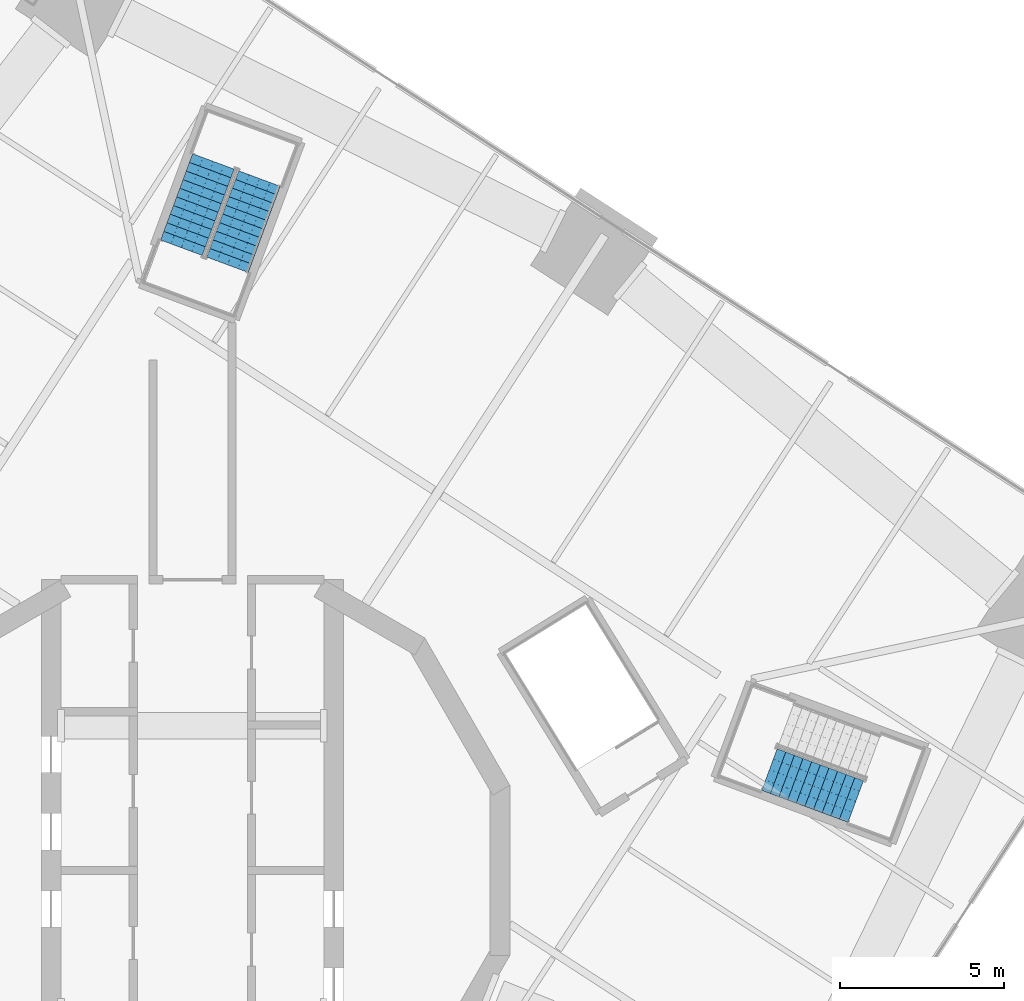
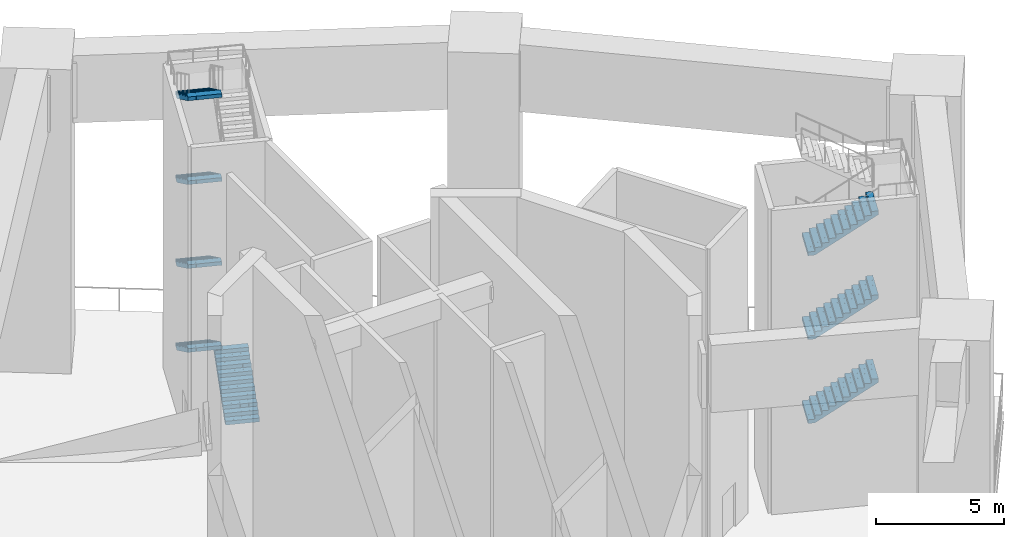
# One storey, part 7 of 16: 8 stair flights, 2 elements without a shape of their own.
"""IFC4 building model written with IfcOpenShell, lengths in metres."""

from ifc_helpers import new_model, si_unit, direction, frame, origin, place, context, subcontext, project, spatial, polyline, outline, extrude, material, type_object, element, aggregate, save


model = new_model("IFC4")

# Units and contexts
model_context = context("Model", 3, precision=1e-05, world=origin(), true_north=direction((0.0, 1.0)))
body_context = subcontext(model_context, "Body", "Model", "MODEL_VIEW")
ifc_project = project(units=[si_unit("LENGTHUNIT", "METRE"), si_unit("AREAUNIT", "SQUARE_METRE"), si_unit("VOLUMEUNIT", "CUBIC_METRE"), si_unit("PLANEANGLEUNIT", "RADIAN"), si_unit("MASSUNIT", "GRAM", prefix="KILO")], contexts=[model_context])

# Site, building, storey
site_placement = place(None, origin())
site = spatial("IfcSite", under=ifc_project, at=site_placement, CompositionType="ELEMENT")
building_placement = place(site_placement, origin())
building = spatial("IfcBuilding", under=site, at=building_placement, Name="Cantera Rosa Tower", CompositionType="ELEMENT")
storey_placement = place(building_placement, frame((0.0, 0.0, 290.10009765625)))
storey = spatial("IfcBuildingStorey", under=building, at=storey_placement, Name="L66", CompositionType="ELEMENT", Elevation=290.10009765625)

# Stair, stair flights
ifc_material_1 = material(Name="Concrete C35/45", Category="concrete")
stair_type = type_object("IfcStairType", Name="EXIT STAIR 1350 DOGLEG", PredefinedType="HALF_TURN_STAIR", material=ifc_material_1)
stair_1_placement = place(storey_placement, origin())
stair_1 = element("IfcStair", 1, at=stair_1_placement, inside=storey, type_object=stair_type, Name="L66 ST-61", PredefinedType="HALF_TURN_STAIR")
ifc_material_2 = material(Name="Concrete C35/45", Category="concrete")
stair_flight_type = type_object("IfcStairFlightType", Name="STAIR FLIGHT 1350 R88x182", PredefinedType="STRAIGHT", material=ifc_material_2)
stair_flight_1_placement = place(storey_placement, frame((17.55908203125, 3.064453125, 4.0), z_axis=(0.0, 0.0, 1.0), x_axis=(0.937686938944, -0.347481229039, 0.0)))
stair_flight_1 = element("IfcStairFlight", 2, at=stair_flight_1_placement, type_object=stair_flight_type, Name="ST-61 flight 3", NumberOfRisers=11, NumberOfTreads=10, PredefinedType="STRAIGHT", RiserHeight=0.181818182, TreadLength=0.28, context=body_context, shape_type="SweptSolid", body=[
    extrude(outline(polyline([(0.0, 0.0), (0.0, 0.181884765625), (0.280029296875, 0.181884765625), (0.280029296875, 0.363525390625), (0.56005859375, 0.363525390625), (0.56005859375, 0.54541015625), (0.840087890625, 0.54541015625), (0.840087890625, 0.727294921875), (1.1201171875, 0.727294921875), (1.1201171875, 0.9091796875), (1.39990234375, 0.9091796875), (1.39990234375, 1.0908203125), (1.679931640625, 1.0908203125), (1.679931640625, 1.272705078125), (1.9599609375, 1.272705078125), (1.9599609375, 1.45458984375), (2.239990234375, 1.45458984375), (2.239990234375, 1.636474609375), (2.52001953125, 1.636474609375), (2.52001953125, 1.818115234375), (2.800048828125, 1.818115234375), (2.800048828125, 2.0), (2.800048828125, 1.639404296875), (0.275146484375, 0.0), (0.0, 0.0)])), frame((0.0, 0.675048828125, 0.0), z_axis=(0.0, -1.0, 0.0), x_axis=(1.0, 0.0, 0.0)), (0.0, 0.0, 1.0), 0.3359375),
    extrude(outline(polyline([(0.0, 0.0), (0.0, 0.181884765625), (0.280029296875, 0.181884765625), (0.280029296875, 0.363525390625), (0.56005859375, 0.363525390625), (0.56005859375, 0.54541015625), (0.840087890625, 0.54541015625), (0.840087890625, 0.727294921875), (1.1201171875, 0.727294921875), (1.1201171875, 0.9091796875), (1.39990234375, 0.9091796875), (1.39990234375, 1.0908203125), (1.679931640625, 1.0908203125), (1.679931640625, 1.272705078125), (1.9599609375, 1.272705078125), (1.9599609375, 1.45458984375), (2.239990234375, 1.45458984375), (2.239990234375, 1.636474609375), (2.52001953125, 1.636474609375), (2.52001953125, 1.818115234375), (2.800048828125, 1.818115234375), (2.800048828125, 2.0), (2.800048828125, 1.639404296875), (0.275146484375, 0.0), (0.0, 0.0)])), frame((0.0, 0.337158203125, 0.0), z_axis=(0.0, -1.0, 0.0), x_axis=(1.0, 0.0, 0.0)), (0.0, 0.0, 1.0), 0.3359375),
    extrude(outline(polyline([(0.0, 0.0), (0.0, 0.181884765625), (0.280029296875, 0.181884765625), (0.280029296875, 0.363525390625), (0.56005859375, 0.363525390625), (0.56005859375, 0.54541015625), (0.840087890625, 0.54541015625), (0.840087890625, 0.727294921875), (1.1201171875, 0.727294921875), (1.1201171875, 0.9091796875), (1.39990234375, 0.9091796875), (1.39990234375, 1.0908203125), (1.679931640625, 1.0908203125), (1.679931640625, 1.272705078125), (1.9599609375, 1.272705078125), (1.9599609375, 1.45458984375), (2.239990234375, 1.45458984375), (2.239990234375, 1.636474609375), (2.52001953125, 1.636474609375), (2.52001953125, 1.818115234375), (2.800048828125, 1.818115234375), (2.800048828125, 2.0), (2.800048828125, 1.639404296875), (0.275146484375, 0.0), (0.0, 0.0)])), frame((0.0, -0.000732421875, 0.0), z_axis=(0.0, -1.0, 0.0), x_axis=(1.0, 0.0, 0.0)), (0.0, 0.0, 1.0), 0.3359375),
    extrude(outline(polyline([(0.0, 0.0), (0.0, 0.181884765625), (0.280029296875, 0.181884765625), (0.280029296875, 0.363525390625), (0.56005859375, 0.363525390625), (0.56005859375, 0.54541015625), (0.840087890625, 0.54541015625), (0.840087890625, 0.727294921875), (1.1201171875, 0.727294921875), (1.1201171875, 0.9091796875), (1.39990234375, 0.9091796875), (1.39990234375, 1.0908203125), (1.679931640625, 1.0908203125), (1.679931640625, 1.272705078125), (1.9599609375, 1.272705078125), (1.9599609375, 1.45458984375), (2.239990234375, 1.45458984375), (2.239990234375, 1.636474609375), (2.52001953125, 1.636474609375), (2.52001953125, 1.818115234375), (2.800048828125, 1.818115234375), (2.800048828125, 2.0), (2.800048828125, 1.639404296875), (0.275146484375, 0.0), (0.0, 0.0)])), frame((0.0, -0.338623046875, 0.0), z_axis=(0.0, -1.0, 0.0), x_axis=(1.0, 0.0, 0.0)), (0.0, 0.0, 1.0), 0.3359375),
])
stair_flight_2_placement = place(storey_placement, frame((17.55908203125, 3.064453125, 8.0), z_axis=(0.0, 0.0, 1.0), x_axis=(0.937686938944, -0.347481229039, 0.0)))
stair_flight_2 = element("IfcStairFlight", 3, at=stair_flight_2_placement, type_object=stair_flight_type, Name="ST-61 flight 5", NumberOfRisers=11, NumberOfTreads=10, PredefinedType="STRAIGHT", RiserHeight=0.181818182, TreadLength=0.28, context=body_context, shape_type="SweptSolid", body=[
    extrude(outline(polyline([(0.0, 0.0), (0.0, 0.181884765625), (0.280029296875, 0.181884765625), (0.280029296875, 0.363525390625), (0.56005859375, 0.363525390625), (0.56005859375, 0.54541015625), (0.840087890625, 0.54541015625), (0.840087890625, 0.727294921875), (1.1201171875, 0.727294921875), (1.1201171875, 0.9091796875), (1.39990234375, 0.9091796875), (1.39990234375, 1.0908203125), (1.679931640625, 1.0908203125), (1.679931640625, 1.272705078125), (1.9599609375, 1.272705078125), (1.9599609375, 1.45458984375), (2.239990234375, 1.45458984375), (2.239990234375, 1.636474609375), (2.52001953125, 1.636474609375), (2.52001953125, 1.818115234375), (2.800048828125, 1.818115234375), (2.800048828125, 2.0), (2.800048828125, 1.639404296875), (0.275146484375, 0.0), (0.0, 0.0)])), frame((0.0, 0.675048828125, 0.0), z_axis=(0.0, -1.0, 0.0), x_axis=(1.0, 0.0, 0.0)), (0.0, 0.0, 1.0), 0.3359375),
    extrude(outline(polyline([(0.0, 0.0), (0.0, 0.181884765625), (0.280029296875, 0.181884765625), (0.280029296875, 0.363525390625), (0.56005859375, 0.363525390625), (0.56005859375, 0.54541015625), (0.840087890625, 0.54541015625), (0.840087890625, 0.727294921875), (1.1201171875, 0.727294921875), (1.1201171875, 0.9091796875), (1.39990234375, 0.9091796875), (1.39990234375, 1.0908203125), (1.679931640625, 1.0908203125), (1.679931640625, 1.272705078125), (1.9599609375, 1.272705078125), (1.9599609375, 1.45458984375), (2.239990234375, 1.45458984375), (2.239990234375, 1.636474609375), (2.52001953125, 1.636474609375), (2.52001953125, 1.818115234375), (2.800048828125, 1.818115234375), (2.800048828125, 2.0), (2.800048828125, 1.639404296875), (0.275146484375, 0.0), (0.0, 0.0)])), frame((0.0, 0.337158203125, 0.0), z_axis=(0.0, -1.0, 0.0), x_axis=(1.0, 0.0, 0.0)), (0.0, 0.0, 1.0), 0.3359375),
    extrude(outline(polyline([(0.0, 0.0), (0.0, 0.181884765625), (0.280029296875, 0.181884765625), (0.280029296875, 0.363525390625), (0.56005859375, 0.363525390625), (0.56005859375, 0.54541015625), (0.840087890625, 0.54541015625), (0.840087890625, 0.727294921875), (1.1201171875, 0.727294921875), (1.1201171875, 0.9091796875), (1.39990234375, 0.9091796875), (1.39990234375, 1.0908203125), (1.679931640625, 1.0908203125), (1.679931640625, 1.272705078125), (1.9599609375, 1.272705078125), (1.9599609375, 1.45458984375), (2.239990234375, 1.45458984375), (2.239990234375, 1.636474609375), (2.52001953125, 1.636474609375), (2.52001953125, 1.818115234375), (2.800048828125, 1.818115234375), (2.800048828125, 2.0), (2.800048828125, 1.639404296875), (0.275146484375, 0.0), (0.0, 0.0)])), frame((0.0, -0.000732421875, 0.0), z_axis=(0.0, -1.0, 0.0), x_axis=(1.0, 0.0, 0.0)), (0.0, 0.0, 1.0), 0.3359375),
    extrude(outline(polyline([(0.0, 0.0), (0.0, 0.181884765625), (0.280029296875, 0.181884765625), (0.280029296875, 0.363525390625), (0.56005859375, 0.363525390625), (0.56005859375, 0.54541015625), (0.840087890625, 0.54541015625), (0.840087890625, 0.727294921875), (1.1201171875, 0.727294921875), (1.1201171875, 0.9091796875), (1.39990234375, 0.9091796875), (1.39990234375, 1.0908203125), (1.679931640625, 1.0908203125), (1.679931640625, 1.272705078125), (1.9599609375, 1.272705078125), (1.9599609375, 1.45458984375), (2.239990234375, 1.45458984375), (2.239990234375, 1.636474609375), (2.52001953125, 1.636474609375), (2.52001953125, 1.818115234375), (2.800048828125, 1.818115234375), (2.800048828125, 2.0), (2.800048828125, 1.639404296875), (0.275146484375, 0.0), (0.0, 0.0)])), frame((0.0, -0.338623046875, 0.0), z_axis=(0.0, -1.0, 0.0), x_axis=(1.0, 0.0, 0.0)), (0.0, 0.0, 1.0), 0.3359375),
])
stair_flight_3_placement = place(storey_placement, frame((17.55908203125, 3.064453125, 12.0), z_axis=(0.0, 0.0, 1.0), x_axis=(0.937686938944, -0.347481229039, 0.0)))
stair_flight_3 = element("IfcStairFlight", 4, at=stair_flight_3_placement, type_object=stair_flight_type, Name="ST-61 flight 7", NumberOfRisers=11, NumberOfTreads=10, PredefinedType="STRAIGHT", RiserHeight=0.181818182, TreadLength=0.28, context=body_context, shape_type="SweptSolid", body=[
    extrude(outline(polyline([(0.0, 0.0), (0.0, 0.181884765625), (0.280029296875, 0.181884765625), (0.280029296875, 0.363525390625), (0.56005859375, 0.363525390625), (0.56005859375, 0.54541015625), (0.840087890625, 0.54541015625), (0.840087890625, 0.727294921875), (1.1201171875, 0.727294921875), (1.1201171875, 0.9091796875), (1.39990234375, 0.9091796875), (1.39990234375, 1.0908203125), (1.679931640625, 1.0908203125), (1.679931640625, 1.272705078125), (1.9599609375, 1.272705078125), (1.9599609375, 1.45458984375), (2.239990234375, 1.45458984375), (2.239990234375, 1.636474609375), (2.52001953125, 1.636474609375), (2.52001953125, 1.818115234375), (2.800048828125, 1.818115234375), (2.800048828125, 2.0), (2.800048828125, 1.639404296875), (0.275146484375, 0.0), (0.0, 0.0)])), frame((0.0, 0.675048828125, 0.0), z_axis=(0.0, -1.0, 0.0), x_axis=(1.0, 0.0, 0.0)), (0.0, 0.0, 1.0), 0.3359375),
    extrude(outline(polyline([(0.0, 0.0), (0.0, 0.181884765625), (0.280029296875, 0.181884765625), (0.280029296875, 0.363525390625), (0.56005859375, 0.363525390625), (0.56005859375, 0.54541015625), (0.840087890625, 0.54541015625), (0.840087890625, 0.727294921875), (1.1201171875, 0.727294921875), (1.1201171875, 0.9091796875), (1.39990234375, 0.9091796875), (1.39990234375, 1.0908203125), (1.679931640625, 1.0908203125), (1.679931640625, 1.272705078125), (1.9599609375, 1.272705078125), (1.9599609375, 1.45458984375), (2.239990234375, 1.45458984375), (2.239990234375, 1.636474609375), (2.52001953125, 1.636474609375), (2.52001953125, 1.818115234375), (2.800048828125, 1.818115234375), (2.800048828125, 2.0), (2.800048828125, 1.639404296875), (0.275146484375, 0.0), (0.0, 0.0)])), frame((0.0, 0.337158203125, 0.0), z_axis=(0.0, -1.0, 0.0), x_axis=(1.0, 0.0, 0.0)), (0.0, 0.0, 1.0), 0.3359375),
    extrude(outline(polyline([(0.0, 0.0), (0.0, 0.181884765625), (0.280029296875, 0.181884765625), (0.280029296875, 0.363525390625), (0.56005859375, 0.363525390625), (0.56005859375, 0.54541015625), (0.840087890625, 0.54541015625), (0.840087890625, 0.727294921875), (1.1201171875, 0.727294921875), (1.1201171875, 0.9091796875), (1.39990234375, 0.9091796875), (1.39990234375, 1.0908203125), (1.679931640625, 1.0908203125), (1.679931640625, 1.272705078125), (1.9599609375, 1.272705078125), (1.9599609375, 1.45458984375), (2.239990234375, 1.45458984375), (2.239990234375, 1.636474609375), (2.52001953125, 1.636474609375), (2.52001953125, 1.818115234375), (2.800048828125, 1.818115234375), (2.800048828125, 2.0), (2.800048828125, 1.639404296875), (0.275146484375, 0.0), (0.0, 0.0)])), frame((0.0, -0.000732421875, 0.0), z_axis=(0.0, -1.0, 0.0), x_axis=(1.0, 0.0, 0.0)), (0.0, 0.0, 1.0), 0.3359375),
    extrude(outline(polyline([(0.0, 0.0), (0.0, 0.181884765625), (0.280029296875, 0.181884765625), (0.280029296875, 0.363525390625), (0.56005859375, 0.363525390625), (0.56005859375, 0.54541015625), (0.840087890625, 0.54541015625), (0.840087890625, 0.727294921875), (1.1201171875, 0.727294921875), (1.1201171875, 0.9091796875), (1.39990234375, 0.9091796875), (1.39990234375, 1.0908203125), (1.679931640625, 1.0908203125), (1.679931640625, 1.272705078125), (1.9599609375, 1.272705078125), (1.9599609375, 1.45458984375), (2.239990234375, 1.45458984375), (2.239990234375, 1.636474609375), (2.52001953125, 1.636474609375), (2.52001953125, 1.818115234375), (2.800048828125, 1.818115234375), (2.800048828125, 2.0), (2.800048828125, 1.639404296875), (0.275146484375, 0.0), (0.0, 0.0)])), frame((0.0, -0.338623046875, 0.0), z_axis=(0.0, -1.0, 0.0), x_axis=(1.0, 0.0, 0.0)), (0.0, 0.0, 1.0), 0.3359375),
])
aggregate(stair_1, [stair_flight_1, stair_flight_2, stair_flight_3])

stair_2_placement = place(storey_placement, origin())
stair_2 = element("IfcStair", 5, at=stair_2_placement, inside=storey, type_object=stair_type, Name="L66 ST-62", PredefinedType="HALF_TURN_STAIR")
stair_flight_4_placement = place(storey_placement, frame((1.069580078125, 18.426513671875, 0.0), z_axis=(0.0, 0.0, 1.0), x_axis=(0.347481229039, 0.937686938944, 0.0)))
stair_flight_4 = element("IfcStairFlight", 6, at=stair_flight_4_placement, type_object=stair_flight_type, Name="ST-62 flight 1", NumberOfRisers=11, NumberOfTreads=10, PredefinedType="STRAIGHT", RiserHeight=0.181818182, TreadLength=0.28, context=body_context, shape_type="SweptSolid", body=[
    extrude(outline(polyline([(0.0, 0.0), (0.0, 0.181884765625), (0.280029296875, 0.181884765625), (0.280029296875, 0.363525390625), (0.56005859375, 0.363525390625), (0.56005859375, 0.54541015625), (0.840087890625, 0.54541015625), (0.840087890625, 0.727294921875), (1.1201171875, 0.727294921875), (1.1201171875, 0.9091796875), (1.39990234375, 0.9091796875), (1.39990234375, 1.0908203125), (1.679931640625, 1.0908203125), (1.679931640625, 1.272705078125), (1.9599609375, 1.272705078125), (1.9599609375, 1.45458984375), (2.239990234375, 1.45458984375), (2.239990234375, 1.636474609375), (2.52001953125, 1.636474609375), (2.52001953125, 1.818115234375), (2.800048828125, 1.818115234375), (2.800048828125, 2.0), (2.800048828125, 1.639404296875), (0.275146484375, 0.0), (0.0, 0.0)])), frame((0.0, 0.675048828125, 0.0), z_axis=(0.0, -1.0, 0.0), x_axis=(1.0, 0.0, 0.0)), (0.0, 0.0, 1.0), 0.3359375),
    extrude(outline(polyline([(0.0, 0.0), (0.0, 0.181884765625), (0.280029296875, 0.181884765625), (0.280029296875, 0.363525390625), (0.56005859375, 0.363525390625), (0.56005859375, 0.54541015625), (0.840087890625, 0.54541015625), (0.840087890625, 0.727294921875), (1.1201171875, 0.727294921875), (1.1201171875, 0.9091796875), (1.39990234375, 0.9091796875), (1.39990234375, 1.0908203125), (1.679931640625, 1.0908203125), (1.679931640625, 1.272705078125), (1.9599609375, 1.272705078125), (1.9599609375, 1.45458984375), (2.239990234375, 1.45458984375), (2.239990234375, 1.636474609375), (2.52001953125, 1.636474609375), (2.52001953125, 1.818115234375), (2.800048828125, 1.818115234375), (2.800048828125, 2.0), (2.800048828125, 1.639404296875), (0.275146484375, 0.0), (0.0, 0.0)])), frame((0.0, 0.337158203125, 0.0), z_axis=(0.0, -1.0, 0.0), x_axis=(1.0, 0.0, 0.0)), (0.0, 0.0, 1.0), 0.3359375),
    extrude(outline(polyline([(0.0, 0.0), (0.0, 0.181884765625), (0.280029296875, 0.181884765625), (0.280029296875, 0.363525390625), (0.56005859375, 0.363525390625), (0.56005859375, 0.54541015625), (0.840087890625, 0.54541015625), (0.840087890625, 0.727294921875), (1.1201171875, 0.727294921875), (1.1201171875, 0.9091796875), (1.39990234375, 0.9091796875), (1.39990234375, 1.0908203125), (1.679931640625, 1.0908203125), (1.679931640625, 1.272705078125), (1.9599609375, 1.272705078125), (1.9599609375, 1.45458984375), (2.239990234375, 1.45458984375), (2.239990234375, 1.636474609375), (2.52001953125, 1.636474609375), (2.52001953125, 1.818115234375), (2.800048828125, 1.818115234375), (2.800048828125, 2.0), (2.800048828125, 1.639404296875), (0.275146484375, 0.0), (0.0, 0.0)])), frame((0.0, -0.000732421875, 0.0), z_axis=(0.0, -1.0, 0.0), x_axis=(1.0, 0.0, 0.0)), (0.0, 0.0, 1.0), 0.3359375),
    extrude(outline(polyline([(0.0, 0.0), (0.0, 0.181884765625), (0.280029296875, 0.181884765625), (0.280029296875, 0.363525390625), (0.56005859375, 0.363525390625), (0.56005859375, 0.54541015625), (0.840087890625, 0.54541015625), (0.840087890625, 0.727294921875), (1.1201171875, 0.727294921875), (1.1201171875, 0.9091796875), (1.39990234375, 0.9091796875), (1.39990234375, 1.0908203125), (1.679931640625, 1.0908203125), (1.679931640625, 1.272705078125), (1.9599609375, 1.272705078125), (1.9599609375, 1.45458984375), (2.239990234375, 1.45458984375), (2.239990234375, 1.636474609375), (2.52001953125, 1.636474609375), (2.52001953125, 1.818115234375), (2.800048828125, 1.818115234375), (2.800048828125, 2.0), (2.800048828125, 1.639404296875), (0.275146484375, 0.0), (0.0, 0.0)])), frame((0.0, -0.338623046875, 0.0), z_axis=(0.0, -1.0, 0.0), x_axis=(1.0, 0.0, 0.0)), (0.0, 0.0, 1.0), 0.3359375),
])
stair_flight_5_placement = place(storey_placement, frame((0.635986328125, 21.5732421875, 2.0), z_axis=(0.0, 0.0, 1.0), x_axis=(-0.347481229039, -0.937686938944, 0.0)))
stair_flight_5 = element("IfcStairFlight", 7, at=stair_flight_5_placement, type_object=stair_flight_type, Name="ST-62 flight 2", NumberOfRisers=11, NumberOfTreads=10, PredefinedType="STRAIGHT", RiserHeight=0.181818182, TreadLength=0.28, context=body_context, shape_type="SweptSolid", body=[
    extrude(outline(polyline([(0.0, 0.0), (0.0, 0.181884765625), (0.280029296875, 0.181884765625), (0.280029296875, 0.363525390625), (0.56005859375, 0.363525390625), (0.56005859375, 0.54541015625), (0.840087890625, 0.54541015625), (0.840087890625, 0.727294921875), (1.1201171875, 0.727294921875), (1.1201171875, 0.9091796875), (1.39990234375, 0.9091796875), (1.39990234375, 1.0908203125), (1.679931640625, 1.0908203125), (1.679931640625, 1.272705078125), (1.9599609375, 1.272705078125), (1.9599609375, 1.45458984375), (2.239990234375, 1.45458984375), (2.239990234375, 1.636474609375), (2.52001953125, 1.636474609375), (2.52001953125, 1.818115234375), (2.800048828125, 1.818115234375), (2.800048828125, 2.0), (2.800048828125, 1.639404296875), (0.275146484375, 0.0), (0.0, 0.0)])), frame((0.0, 0.675048828125, 0.0), z_axis=(0.0, -1.0, 0.0), x_axis=(1.0, 0.0, 0.0)), (0.0, 0.0, 1.0), 0.3359375),
    extrude(outline(polyline([(0.0, 0.0), (0.0, 0.181884765625), (0.280029296875, 0.181884765625), (0.280029296875, 0.363525390625), (0.56005859375, 0.363525390625), (0.56005859375, 0.54541015625), (0.840087890625, 0.54541015625), (0.840087890625, 0.727294921875), (1.1201171875, 0.727294921875), (1.1201171875, 0.9091796875), (1.39990234375, 0.9091796875), (1.39990234375, 1.0908203125), (1.679931640625, 1.0908203125), (1.679931640625, 1.272705078125), (1.9599609375, 1.272705078125), (1.9599609375, 1.45458984375), (2.239990234375, 1.45458984375), (2.239990234375, 1.636474609375), (2.52001953125, 1.636474609375), (2.52001953125, 1.818115234375), (2.800048828125, 1.818115234375), (2.800048828125, 2.0), (2.800048828125, 1.639404296875), (0.275146484375, 0.0), (0.0, 0.0)])), frame((0.0, 0.337158203125, 0.0), z_axis=(0.0, -1.0, 0.0), x_axis=(1.0, 0.0, 0.0)), (0.0, 0.0, 1.0), 0.3359375),
    extrude(outline(polyline([(0.0, 0.0), (0.0, 0.181884765625), (0.280029296875, 0.181884765625), (0.280029296875, 0.363525390625), (0.56005859375, 0.363525390625), (0.56005859375, 0.54541015625), (0.840087890625, 0.54541015625), (0.840087890625, 0.727294921875), (1.1201171875, 0.727294921875), (1.1201171875, 0.9091796875), (1.39990234375, 0.9091796875), (1.39990234375, 1.0908203125), (1.679931640625, 1.0908203125), (1.679931640625, 1.272705078125), (1.9599609375, 1.272705078125), (1.9599609375, 1.45458984375), (2.239990234375, 1.45458984375), (2.239990234375, 1.636474609375), (2.52001953125, 1.636474609375), (2.52001953125, 1.818115234375), (2.800048828125, 1.818115234375), (2.800048828125, 2.0), (2.800048828125, 1.639404296875), (0.275146484375, 0.0), (0.0, 0.0)])), frame((0.0, -0.000732421875, 0.0), z_axis=(0.0, -1.0, 0.0), x_axis=(1.0, 0.0, 0.0)), (0.0, 0.0, 1.0), 0.3359375),
    extrude(outline(polyline([(0.0, 0.0), (0.0, 0.181884765625), (0.280029296875, 0.181884765625), (0.280029296875, 0.363525390625), (0.56005859375, 0.363525390625), (0.56005859375, 0.54541015625), (0.840087890625, 0.54541015625), (0.840087890625, 0.727294921875), (1.1201171875, 0.727294921875), (1.1201171875, 0.9091796875), (1.39990234375, 0.9091796875), (1.39990234375, 1.0908203125), (1.679931640625, 1.0908203125), (1.679931640625, 1.272705078125), (1.9599609375, 1.272705078125), (1.9599609375, 1.45458984375), (2.239990234375, 1.45458984375), (2.239990234375, 1.636474609375), (2.52001953125, 1.636474609375), (2.52001953125, 1.818115234375), (2.800048828125, 1.818115234375), (2.800048828125, 2.0), (2.800048828125, 1.639404296875), (0.275146484375, 0.0), (0.0, 0.0)])), frame((0.0, -0.338623046875, 0.0), z_axis=(0.0, -1.0, 0.0), x_axis=(1.0, 0.0, 0.0)), (0.0, 0.0, 1.0), 0.3359375),
])
stair_flight_6_placement = place(storey_placement, frame((0.635986328125, 21.5732421875, 6.0), z_axis=(0.0, 0.0, 1.0), x_axis=(-0.347481229039, -0.937686938944, 0.0)))
stair_flight_6 = element("IfcStairFlight", 8, at=stair_flight_6_placement, type_object=stair_flight_type, Name="ST-62 flight 4", NumberOfRisers=11, NumberOfTreads=10, PredefinedType="STRAIGHT", RiserHeight=0.181818182, TreadLength=0.28, context=body_context, shape_type="SweptSolid", body=[
    extrude(outline(polyline([(0.0, 0.0), (0.0, 0.181884765625), (0.280029296875, 0.181884765625), (0.280029296875, 0.363525390625), (0.56005859375, 0.363525390625), (0.56005859375, 0.54541015625), (0.840087890625, 0.54541015625), (0.840087890625, 0.727294921875), (1.1201171875, 0.727294921875), (1.1201171875, 0.9091796875), (1.39990234375, 0.9091796875), (1.39990234375, 1.0908203125), (1.679931640625, 1.0908203125), (1.679931640625, 1.272705078125), (1.9599609375, 1.272705078125), (1.9599609375, 1.45458984375), (2.239990234375, 1.45458984375), (2.239990234375, 1.636474609375), (2.52001953125, 1.636474609375), (2.52001953125, 1.818115234375), (2.800048828125, 1.818115234375), (2.800048828125, 2.0), (2.800048828125, 1.639404296875), (0.275146484375, 0.0), (0.0, 0.0)])), frame((0.0, 0.675048828125, 0.0), z_axis=(0.0, -1.0, 0.0), x_axis=(1.0, 0.0, 0.0)), (0.0, 0.0, 1.0), 0.3359375),
    extrude(outline(polyline([(0.0, 0.0), (0.0, 0.181884765625), (0.280029296875, 0.181884765625), (0.280029296875, 0.363525390625), (0.56005859375, 0.363525390625), (0.56005859375, 0.54541015625), (0.840087890625, 0.54541015625), (0.840087890625, 0.727294921875), (1.1201171875, 0.727294921875), (1.1201171875, 0.9091796875), (1.39990234375, 0.9091796875), (1.39990234375, 1.0908203125), (1.679931640625, 1.0908203125), (1.679931640625, 1.272705078125), (1.9599609375, 1.272705078125), (1.9599609375, 1.45458984375), (2.239990234375, 1.45458984375), (2.239990234375, 1.636474609375), (2.52001953125, 1.636474609375), (2.52001953125, 1.818115234375), (2.800048828125, 1.818115234375), (2.800048828125, 2.0), (2.800048828125, 1.639404296875), (0.275146484375, 0.0), (0.0, 0.0)])), frame((0.0, 0.337158203125, 0.0), z_axis=(0.0, -1.0, 0.0), x_axis=(1.0, 0.0, 0.0)), (0.0, 0.0, 1.0), 0.3359375),
    extrude(outline(polyline([(0.0, 0.0), (0.0, 0.181884765625), (0.280029296875, 0.181884765625), (0.280029296875, 0.363525390625), (0.56005859375, 0.363525390625), (0.56005859375, 0.54541015625), (0.840087890625, 0.54541015625), (0.840087890625, 0.727294921875), (1.1201171875, 0.727294921875), (1.1201171875, 0.9091796875), (1.39990234375, 0.9091796875), (1.39990234375, 1.0908203125), (1.679931640625, 1.0908203125), (1.679931640625, 1.272705078125), (1.9599609375, 1.272705078125), (1.9599609375, 1.45458984375), (2.239990234375, 1.45458984375), (2.239990234375, 1.636474609375), (2.52001953125, 1.636474609375), (2.52001953125, 1.818115234375), (2.800048828125, 1.818115234375), (2.800048828125, 2.0), (2.800048828125, 1.639404296875), (0.275146484375, 0.0), (0.0, 0.0)])), frame((0.0, -0.000732421875, 0.0), z_axis=(0.0, -1.0, 0.0), x_axis=(1.0, 0.0, 0.0)), (0.0, 0.0, 1.0), 0.3359375),
    extrude(outline(polyline([(0.0, 0.0), (0.0, 0.181884765625), (0.280029296875, 0.181884765625), (0.280029296875, 0.363525390625), (0.56005859375, 0.363525390625), (0.56005859375, 0.54541015625), (0.840087890625, 0.54541015625), (0.840087890625, 0.727294921875), (1.1201171875, 0.727294921875), (1.1201171875, 0.9091796875), (1.39990234375, 0.9091796875), (1.39990234375, 1.0908203125), (1.679931640625, 1.0908203125), (1.679931640625, 1.272705078125), (1.9599609375, 1.272705078125), (1.9599609375, 1.45458984375), (2.239990234375, 1.45458984375), (2.239990234375, 1.636474609375), (2.52001953125, 1.636474609375), (2.52001953125, 1.818115234375), (2.800048828125, 1.818115234375), (2.800048828125, 2.0), (2.800048828125, 1.639404296875), (0.275146484375, 0.0), (0.0, 0.0)])), frame((0.0, -0.338623046875, 0.0), z_axis=(0.0, -1.0, 0.0), x_axis=(1.0, 0.0, 0.0)), (0.0, 0.0, 1.0), 0.3359375),
])
stair_flight_7_placement = place(storey_placement, frame((0.635986328125, 21.5732421875, 10.0), z_axis=(0.0, 0.0, 1.0), x_axis=(-0.347481229039, -0.937686938944, 0.0)))
stair_flight_7 = element("IfcStairFlight", 9, at=stair_flight_7_placement, type_object=stair_flight_type, Name="ST-62 flight 6", NumberOfRisers=11, NumberOfTreads=10, PredefinedType="STRAIGHT", RiserHeight=0.181818182, TreadLength=0.28, context=body_context, shape_type="SweptSolid", body=[
    extrude(outline(polyline([(0.0, 0.0), (0.0, 0.181884765625), (0.280029296875, 0.181884765625), (0.280029296875, 0.363525390625), (0.56005859375, 0.363525390625), (0.56005859375, 0.54541015625), (0.840087890625, 0.54541015625), (0.840087890625, 0.727294921875), (1.1201171875, 0.727294921875), (1.1201171875, 0.9091796875), (1.39990234375, 0.9091796875), (1.39990234375, 1.0908203125), (1.679931640625, 1.0908203125), (1.679931640625, 1.272705078125), (1.9599609375, 1.272705078125), (1.9599609375, 1.45458984375), (2.239990234375, 1.45458984375), (2.239990234375, 1.636474609375), (2.52001953125, 1.636474609375), (2.52001953125, 1.818115234375), (2.800048828125, 1.818115234375), (2.800048828125, 2.0), (2.800048828125, 1.639404296875), (0.275146484375, 0.0), (0.0, 0.0)])), frame((0.0, 0.675048828125, 0.0), z_axis=(0.0, -1.0, 0.0), x_axis=(1.0, 0.0, 0.0)), (0.0, 0.0, 1.0), 0.3359375),
    extrude(outline(polyline([(0.0, 0.0), (0.0, 0.181884765625), (0.280029296875, 0.181884765625), (0.280029296875, 0.363525390625), (0.56005859375, 0.363525390625), (0.56005859375, 0.54541015625), (0.840087890625, 0.54541015625), (0.840087890625, 0.727294921875), (1.1201171875, 0.727294921875), (1.1201171875, 0.9091796875), (1.39990234375, 0.9091796875), (1.39990234375, 1.0908203125), (1.679931640625, 1.0908203125), (1.679931640625, 1.272705078125), (1.9599609375, 1.272705078125), (1.9599609375, 1.45458984375), (2.239990234375, 1.45458984375), (2.239990234375, 1.636474609375), (2.52001953125, 1.636474609375), (2.52001953125, 1.818115234375), (2.800048828125, 1.818115234375), (2.800048828125, 2.0), (2.800048828125, 1.639404296875), (0.275146484375, 0.0), (0.0, 0.0)])), frame((0.0, 0.337158203125, 0.0), z_axis=(0.0, -1.0, 0.0), x_axis=(1.0, 0.0, 0.0)), (0.0, 0.0, 1.0), 0.3359375),
    extrude(outline(polyline([(0.0, 0.0), (0.0, 0.181884765625), (0.280029296875, 0.181884765625), (0.280029296875, 0.363525390625), (0.56005859375, 0.363525390625), (0.56005859375, 0.54541015625), (0.840087890625, 0.54541015625), (0.840087890625, 0.727294921875), (1.1201171875, 0.727294921875), (1.1201171875, 0.9091796875), (1.39990234375, 0.9091796875), (1.39990234375, 1.0908203125), (1.679931640625, 1.0908203125), (1.679931640625, 1.272705078125), (1.9599609375, 1.272705078125), (1.9599609375, 1.45458984375), (2.239990234375, 1.45458984375), (2.239990234375, 1.636474609375), (2.52001953125, 1.636474609375), (2.52001953125, 1.818115234375), (2.800048828125, 1.818115234375), (2.800048828125, 2.0), (2.800048828125, 1.639404296875), (0.275146484375, 0.0), (0.0, 0.0)])), frame((0.0, -0.000732421875, 0.0), z_axis=(0.0, -1.0, 0.0), x_axis=(1.0, 0.0, 0.0)), (0.0, 0.0, 1.0), 0.3359375),
    extrude(outline(polyline([(0.0, 0.0), (0.0, 0.181884765625), (0.280029296875, 0.181884765625), (0.280029296875, 0.363525390625), (0.56005859375, 0.363525390625), (0.56005859375, 0.54541015625), (0.840087890625, 0.54541015625), (0.840087890625, 0.727294921875), (1.1201171875, 0.727294921875), (1.1201171875, 0.9091796875), (1.39990234375, 0.9091796875), (1.39990234375, 1.0908203125), (1.679931640625, 1.0908203125), (1.679931640625, 1.272705078125), (1.9599609375, 1.272705078125), (1.9599609375, 1.45458984375), (2.239990234375, 1.45458984375), (2.239990234375, 1.636474609375), (2.52001953125, 1.636474609375), (2.52001953125, 1.818115234375), (2.800048828125, 1.818115234375), (2.800048828125, 2.0), (2.800048828125, 1.639404296875), (0.275146484375, 0.0), (0.0, 0.0)])), frame((0.0, -0.338623046875, 0.0), z_axis=(0.0, -1.0, 0.0), x_axis=(1.0, 0.0, 0.0)), (0.0, 0.0, 1.0), 0.3359375),
])
stair_flight_8_placement = place(storey_placement, frame((0.635986328125, 21.5732421875, 14.0), z_axis=(0.0, 0.0, 1.0), x_axis=(-0.347481229039, -0.937686938944, 0.0)))
stair_flight_8 = element("IfcStairFlight", 10, at=stair_flight_8_placement, type_object=stair_flight_type, Name="ST-62 flight 8", NumberOfRisers=11, NumberOfTreads=10, PredefinedType="STRAIGHT", RiserHeight=0.181818182, TreadLength=0.28, context=body_context, shape_type="SweptSolid", body=[
    extrude(outline(polyline([(0.0, 0.0), (0.0, 0.181884765625), (0.280029296875, 0.181884765625), (0.280029296875, 0.363525390625), (0.56005859375, 0.363525390625), (0.56005859375, 0.54541015625), (0.840087890625, 0.54541015625), (0.840087890625, 0.727294921875), (1.1201171875, 0.727294921875), (1.1201171875, 0.9091796875), (1.39990234375, 0.9091796875), (1.39990234375, 1.0908203125), (1.679931640625, 1.0908203125), (1.679931640625, 1.272705078125), (1.9599609375, 1.272705078125), (1.9599609375, 1.45458984375), (2.239990234375, 1.45458984375), (2.239990234375, 1.636474609375), (2.52001953125, 1.636474609375), (2.52001953125, 1.818115234375), (2.800048828125, 1.818115234375), (2.800048828125, 2.0), (2.800048828125, 1.639404296875), (0.275146484375, 0.0), (0.0, 0.0)])), frame((0.0, 0.675048828125, 0.0), z_axis=(0.0, -1.0, 0.0), x_axis=(1.0, 0.0, 0.0)), (0.0, 0.0, 1.0), 0.3359375),
    extrude(outline(polyline([(0.0, 0.0), (0.0, 0.181884765625), (0.280029296875, 0.181884765625), (0.280029296875, 0.363525390625), (0.56005859375, 0.363525390625), (0.56005859375, 0.54541015625), (0.840087890625, 0.54541015625), (0.840087890625, 0.727294921875), (1.1201171875, 0.727294921875), (1.1201171875, 0.9091796875), (1.39990234375, 0.9091796875), (1.39990234375, 1.0908203125), (1.679931640625, 1.0908203125), (1.679931640625, 1.272705078125), (1.9599609375, 1.272705078125), (1.9599609375, 1.45458984375), (2.239990234375, 1.45458984375), (2.239990234375, 1.636474609375), (2.52001953125, 1.636474609375), (2.52001953125, 1.818115234375), (2.800048828125, 1.818115234375), (2.800048828125, 2.0), (2.800048828125, 1.639404296875), (0.275146484375, 0.0), (0.0, 0.0)])), frame((0.0, 0.337158203125, 0.0), z_axis=(0.0, -1.0, 0.0), x_axis=(1.0, 0.0, 0.0)), (0.0, 0.0, 1.0), 0.3359375),
    extrude(outline(polyline([(0.0, 0.0), (0.0, 0.181884765625), (0.280029296875, 0.181884765625), (0.280029296875, 0.363525390625), (0.56005859375, 0.363525390625), (0.56005859375, 0.54541015625), (0.840087890625, 0.54541015625), (0.840087890625, 0.727294921875), (1.1201171875, 0.727294921875), (1.1201171875, 0.9091796875), (1.39990234375, 0.9091796875), (1.39990234375, 1.0908203125), (1.679931640625, 1.0908203125), (1.679931640625, 1.272705078125), (1.9599609375, 1.272705078125), (1.9599609375, 1.45458984375), (2.239990234375, 1.45458984375), (2.239990234375, 1.636474609375), (2.52001953125, 1.636474609375), (2.52001953125, 1.818115234375), (2.800048828125, 1.818115234375), (2.800048828125, 2.0), (2.800048828125, 1.639404296875), (0.275146484375, 0.0), (0.0, 0.0)])), frame((0.0, -0.000732421875, 0.0), z_axis=(0.0, -1.0, 0.0), x_axis=(1.0, 0.0, 0.0)), (0.0, 0.0, 1.0), 0.3359375),
    extrude(outline(polyline([(0.0, 0.0), (0.0, 0.181884765625), (0.280029296875, 0.181884765625), (0.280029296875, 0.363525390625), (0.56005859375, 0.363525390625), (0.56005859375, 0.54541015625), (0.840087890625, 0.54541015625), (0.840087890625, 0.727294921875), (1.1201171875, 0.727294921875), (1.1201171875, 0.9091796875), (1.39990234375, 0.9091796875), (1.39990234375, 1.0908203125), (1.679931640625, 1.0908203125), (1.679931640625, 1.272705078125), (1.9599609375, 1.272705078125), (1.9599609375, 1.45458984375), (2.239990234375, 1.45458984375), (2.239990234375, 1.636474609375), (2.52001953125, 1.636474609375), (2.52001953125, 1.818115234375), (2.800048828125, 1.818115234375), (2.800048828125, 2.0), (2.800048828125, 1.639404296875), (0.275146484375, 0.0), (0.0, 0.0)])), frame((0.0, -0.338623046875, 0.0), z_axis=(0.0, -1.0, 0.0), x_axis=(1.0, 0.0, 0.0)), (0.0, 0.0, 1.0), 0.3359375),
])
aggregate(stair_2, [stair_flight_4, stair_flight_5, stair_flight_6, stair_flight_7, stair_flight_8])

save(model, "model.ifc")
